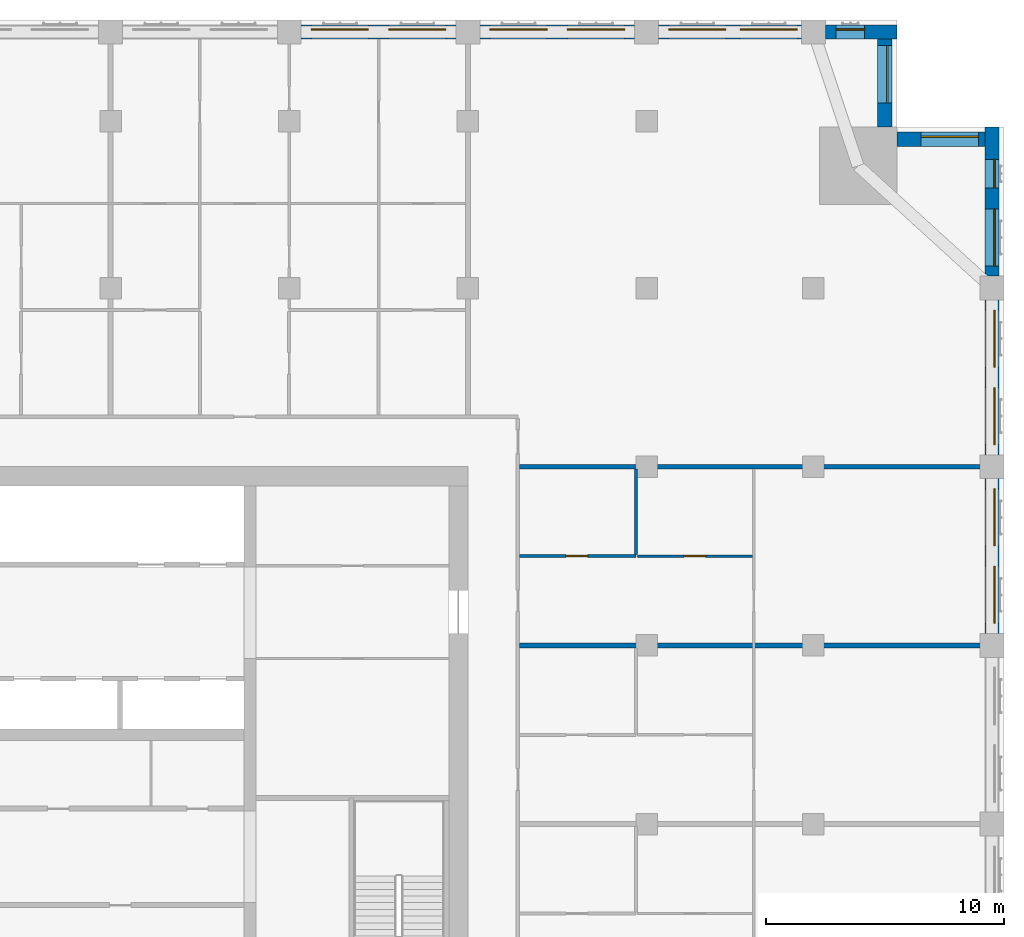
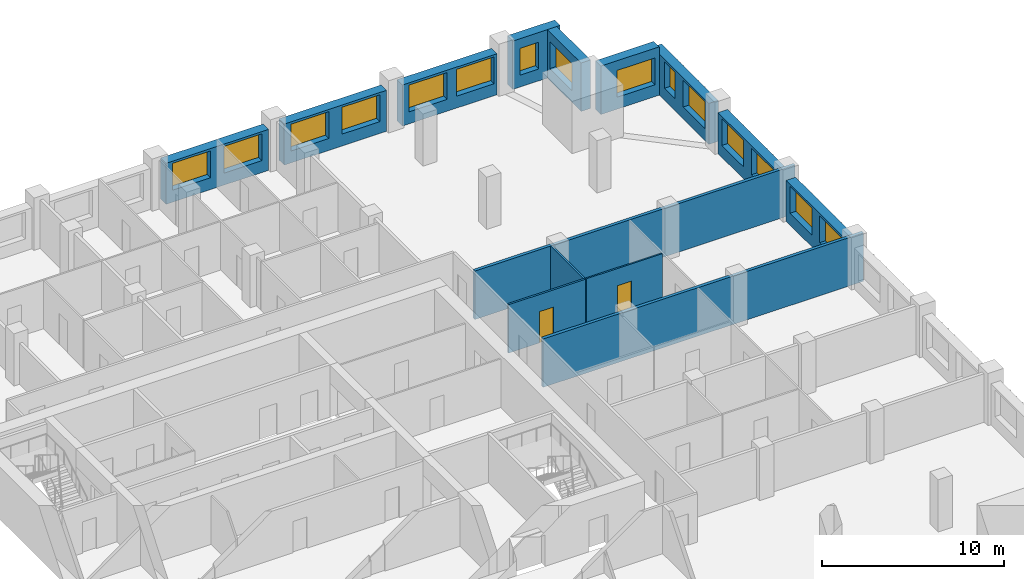
# One storey, part 11 of 14: 15 windows, 14 walls, 2 doors, 17 openings.
"""IFC4 building model written with IfcOpenShell, lengths in metres."""

from ifc_helpers import new_model, si_unit, direction, frame, frame_2d, origin, place, context, subcontext, project, spatial, rectangle, extrude, material, layer, layer_set, type_object, element, fill, save


model = new_model("IFC4")

# Units and contexts
model_context = context("Model", 3, precision=1e-05, world=origin(), true_north=direction((0.0, 1.0)))
body_context = subcontext(model_context, "Body", "Model", "MODEL_VIEW")
ifc_project = project(units=[si_unit("LENGTHUNIT", "METRE"), si_unit("AREAUNIT", "SQUARE_METRE"), si_unit("VOLUMEUNIT", "CUBIC_METRE"), si_unit("PLANEANGLEUNIT", "RADIAN"), si_unit("MASSUNIT", "GRAM", prefix="KILO")], contexts=[model_context])

# Site, building, storey
site_placement = place(None, origin())
site = spatial("IfcSite", under=ifc_project, at=site_placement, CompositionType="ELEMENT")
building_placement = place(site_placement, origin())
building = spatial("IfcBuilding", under=site, at=building_placement, Name="Tamorin Gate", CompositionType="ELEMENT")
storey_placement = place(building_placement, frame((0.0, 0.0, 203.699951171875)))
storey = spatial("IfcBuildingStorey", under=building, at=storey_placement, Name="L50", CompositionType="ELEMENT", Elevation=203.699951171875)

# Wall, openings, windows
ifc_material_1 = material(Name="Precast concrete C40/50", Category="concrete")
ifc_layer_1 = layer(ifc_material_1, 0.60009765625)
ifc_layer_set_1 = layer_set([ifc_layer_1], Name="Precast concrete C40/50")
wall_type_1 = type_object("IfcWallType", Name="Board-marked concrete facade panel 600", PredefinedType="SOLIDWALL", material=ifc_layer_set_1)
wall_1_placement = place(storey_placement, frame((82.0, 75.5, 0.0), z_axis=(0.0, 0.0, 1.0), x_axis=(0.0, 1.0, 0.0)))
wall_1 = element("IfcWall", 1, at=wall_1_placement, inside=storey, type_object=wall_type_1, Name="Facade panel", PredefinedType="SOLIDWALL", context=body_context, shape_type="SweptSolid", body=[
    extrude(rectangle(XDim=6.5, YDim=0.60009765625, at=frame_2d((3.25, 0.0))), origin(), (0.0, 0.0, 1.0), 2.75),
])
opening_1_placement = place(wall_1_placement, frame((0.425048828125, 0.0, 0.800048828125)))
opening_1 = element("IfcOpeningElement", 2, at=opening_1_placement, cuts=wall_1, Name="Opening WN1", PredefinedType="OPENING", context=body_context, shape_type="SweptSolid", body=[
    extrude(rectangle(XDim=2.39990234375, YDim=1.800048828125, at=frame_2d((1.199951171875, 0.89990234375))), frame((0.0, 0.31005859375, 0.0), z_axis=(0.0, -1.0, 0.0), x_axis=(1.0, 0.0, 0.0)), (0.0, 0.0, 1.0), 0.6201171875),
])
opening_2_placement = place(wall_1_placement, frame((3.675048828125, 0.0, 0.800048828125)))
opening_2 = element("IfcOpeningElement", 3, at=opening_2_placement, cuts=wall_1, Name="Opening WN1", PredefinedType="OPENING", context=body_context, shape_type="SweptSolid", body=[
    extrude(rectangle(XDim=2.39990234375, YDim=1.800048828125, at=frame_2d((1.199951171875, 0.89990234375))), frame((0.0, 0.31005859375, 0.0), z_axis=(0.0, -1.0, 0.0), x_axis=(1.0, 0.0, 0.0)), (0.0, 0.0, 1.0), 0.6201171875),
])
ifc_material_2 = material(Name="Clear glass in aluminium frame", Category="aluminium")
window_type_1 = type_object("IfcWindowType", Name="Deep-set window 2400x1800", PartitioningType="SINGLE_PANEL", PredefinedType="WINDOW", material=ifc_material_2)
window_1_placement = place(opening_1_placement, origin())
window_1 = element("IfcWindow", 4, at=window_1_placement, inside=storey, type_object=window_type_1, Name="Deep-set window", OverallHeight=1.800048828125, OverallWidth=2.39990234375, PartitioningType="SINGLE_PANEL", PredefinedType="WINDOW", context=body_context, shape_type="SweptSolid", body=[
    extrude(rectangle(XDim=2.39990234375, YDim=1.800048828125, at=frame_2d((1.199951171875, 0.89990234375))), frame((0.0, -0.070068359375, 0.0), z_axis=(0.0, -1.0, 0.0), x_axis=(1.0, 0.0, 0.0)), (0.0, 0.0, 1.0), 0.06005859375),
])
fill(opening_1, window_1)
window_2_placement = place(opening_2_placement, origin())
window_2 = element("IfcWindow", 5, at=window_2_placement, inside=storey, type_object=window_type_1, Name="Deep-set window", OverallHeight=1.800048828125, OverallWidth=2.39990234375, PartitioningType="SINGLE_PANEL", PredefinedType="WINDOW", context=body_context, shape_type="SweptSolid", body=[
    extrude(rectangle(XDim=2.39990234375, YDim=1.800048828125, at=frame_2d((1.199951171875, 0.89990234375))), frame((0.0, -0.070068359375, 0.0), z_axis=(0.0, -1.0, 0.0), x_axis=(1.0, 0.0, 0.0)), (0.0, 0.0, 1.0), 0.06005859375),
])
fill(opening_2, window_2)

wall_2_placement = place(storey_placement, frame((82.0, 83.0, 0.0), z_axis=(0.0, 0.0, 1.0), x_axis=(0.0, 1.0, 0.0)))
wall_2 = element("IfcWall", 6, at=wall_2_placement, inside=storey, type_object=wall_type_1, Name="Facade panel", PredefinedType="SOLIDWALL", context=body_context, shape_type="SweptSolid", body=[
    extrude(rectangle(XDim=6.5, YDim=0.60009765625, at=frame_2d((3.25, 0.0))), origin(), (0.0, 0.0, 1.0), 2.75),
])
opening_3_placement = place(wall_2_placement, frame((0.425048828125, 0.0, 0.800048828125)))
opening_3 = element("IfcOpeningElement", 7, at=opening_3_placement, cuts=wall_2, Name="Opening WN1", PredefinedType="OPENING", context=body_context, shape_type="SweptSolid", body=[
    extrude(rectangle(XDim=2.39990234375, YDim=1.800048828125, at=frame_2d((1.199951171875, 0.89990234375))), frame((0.0, 0.31005859375, 0.0), z_axis=(0.0, -1.0, 0.0), x_axis=(1.0, 0.0, 0.0)), (0.0, 0.0, 1.0), 0.6201171875),
])
opening_4_placement = place(wall_2_placement, frame((3.675048828125, 0.0, 0.800048828125)))
opening_4 = element("IfcOpeningElement", 8, at=opening_4_placement, cuts=wall_2, Name="Opening WN1", PredefinedType="OPENING", context=body_context, shape_type="SweptSolid", body=[
    extrude(rectangle(XDim=2.39990234375, YDim=1.800048828125, at=frame_2d((1.199951171875, 0.89990234375))), frame((0.0, 0.31005859375, 0.0), z_axis=(0.0, -1.0, 0.0), x_axis=(1.0, 0.0, 0.0)), (0.0, 0.0, 1.0), 0.6201171875),
])
window_3_placement = place(opening_3_placement, origin())
window_3 = element("IfcWindow", 9, at=window_3_placement, inside=storey, type_object=window_type_1, Name="Deep-set window", OverallHeight=1.800048828125, OverallWidth=2.39990234375, PartitioningType="SINGLE_PANEL", PredefinedType="WINDOW", context=body_context, shape_type="SweptSolid", body=[
    extrude(rectangle(XDim=2.39990234375, YDim=1.800048828125, at=frame_2d((1.199951171875, 0.89990234375))), frame((0.0, -0.070068359375, 0.0), z_axis=(0.0, -1.0, 0.0), x_axis=(1.0, 0.0, 0.0)), (0.0, 0.0, 1.0), 0.06005859375),
])
fill(opening_3, window_3)
window_4_placement = place(opening_4_placement, origin())
window_4 = element("IfcWindow", 10, at=window_4_placement, inside=storey, type_object=window_type_1, Name="Deep-set window", OverallHeight=1.800048828125, OverallWidth=2.39990234375, PartitioningType="SINGLE_PANEL", PredefinedType="WINDOW", context=body_context, shape_type="SweptSolid", body=[
    extrude(rectangle(XDim=2.39990234375, YDim=1.800048828125, at=frame_2d((1.199951171875, 0.89990234375))), frame((0.0, -0.070068359375, 0.0), z_axis=(0.0, -1.0, 0.0), x_axis=(1.0, 0.0, 0.0)), (0.0, 0.0, 1.0), 0.06005859375),
])
fill(opening_4, window_4)

wall_3_placement = place(storey_placement, frame((82.0, 90.5, 0.0), z_axis=(0.0, 0.0, 1.0), x_axis=(0.0, 1.0, 0.0)))
wall_3 = element("IfcWall", 11, at=wall_3_placement, inside=storey, type_object=wall_type_1, Name="Facade panel", PredefinedType="SOLIDWALL", context=body_context, shape_type="SweptSolid", body=[
    extrude(rectangle(XDim=6.25, YDim=0.60009765625, at=frame_2d((3.125, 0.0))), origin(), (0.0, 0.0, 1.0), 2.75),
])
opening_5_placement = place(wall_3_placement, frame((0.425048828125, 0.0, 0.800048828125)))
opening_5 = element("IfcOpeningElement", 12, at=opening_5_placement, cuts=wall_3, Name="Opening WN1", PredefinedType="OPENING", context=body_context, shape_type="SweptSolid", body=[
    extrude(rectangle(XDim=2.39990234375, YDim=1.800048828125, at=frame_2d((1.199951171875, 0.89990234375))), frame((0.0, 0.31005859375, 0.0), z_axis=(0.0, -1.0, 0.0), x_axis=(1.0, 0.0, 0.0)), (0.0, 0.0, 1.0), 0.6201171875),
])
opening_6_placement = place(wall_3_placement, frame((3.699951171875, 0.0, 0.800048828125)))
opening_6 = element("IfcOpeningElement", 13, at=opening_6_placement, cuts=wall_3, Name="Opening WN3", PredefinedType="OPENING", context=body_context, shape_type="SweptSolid", body=[
    extrude(rectangle(XDim=1.199951171875, YDim=1.800048828125, at=frame_2d((0.60009765625, 0.89990234375))), frame((0.0, 0.31005859375, 0.0), z_axis=(0.0, -1.0, 0.0), x_axis=(1.0, 0.0, 0.0)), (0.0, 0.0, 1.0), 0.6201171875),
])
window_type_2 = type_object("IfcWindowType", Name="Deep-set window 1200x1800", PartitioningType="SINGLE_PANEL", PredefinedType="WINDOW", material=ifc_material_2)
window_5_placement = place(opening_6_placement, origin())
window_5 = element("IfcWindow", 14, at=window_5_placement, inside=storey, type_object=window_type_2, Name="Deep-set window", OverallHeight=1.800048828125, OverallWidth=1.199951171875, PartitioningType="SINGLE_PANEL", PredefinedType="WINDOW", context=body_context, shape_type="SweptSolid", body=[
    extrude(rectangle(XDim=1.199951171875, YDim=1.800048828125, at=frame_2d((0.60009765625, 0.89990234375))), frame((0.0, -0.070068359375, 0.0), z_axis=(0.0, -1.0, 0.0), x_axis=(1.0, 0.0, 0.0)), (0.0, 0.0, 1.0), 0.06005859375),
])
fill(opening_6, window_5)
window_6_placement = place(opening_5_placement, origin())
window_6 = element("IfcWindow", 15, at=window_6_placement, inside=storey, type_object=window_type_1, Name="Deep-set window", OverallHeight=1.800048828125, OverallWidth=2.39990234375, PartitioningType="SINGLE_PANEL", PredefinedType="WINDOW", context=body_context, shape_type="SweptSolid", body=[
    extrude(rectangle(XDim=2.39990234375, YDim=1.800048828125, at=frame_2d((1.199951171875, 0.89990234375))), frame((0.0, -0.070068359375, 0.0), z_axis=(0.0, -1.0, 0.0), x_axis=(1.0, 0.0, 0.0)), (0.0, 0.0, 1.0), 0.06005859375),
])
fill(opening_5, window_6)

# Wall, opening, window
wall_4_placement = place(storey_placement, frame((81.699951171875, 96.25, 0.0), z_axis=(0.0, 0.0, 1.0), x_axis=(-1.0, 0.0, 0.0)))
wall_4 = element("IfcWall", 16, at=wall_4_placement, inside=storey, type_object=wall_type_1, Name="Facade panel", PredefinedType="SOLIDWALL", context=body_context, shape_type="SweptSolid", body=[
    extrude(rectangle(XDim=3.699951171875, YDim=0.60009765625, at=frame_2d((1.85009765625, 0.0))), origin(), (0.0, 0.0, 1.0), 3.25),
])
opening_7_placement = place(wall_4_placement, frame((0.27490234375, 0.0, 0.800048828125)))
opening_7 = element("IfcOpeningElement", 17, at=opening_7_placement, cuts=wall_4, Name="Opening WN1", PredefinedType="OPENING", context=body_context, shape_type="SweptSolid", body=[
    extrude(rectangle(XDim=2.39990234375, YDim=1.800048828125, at=frame_2d((1.199951171875, 0.89990234375))), frame((0.0, 0.31005859375, 0.0), z_axis=(0.0, -1.0, 0.0), x_axis=(1.0, 0.0, 0.0)), (0.0, 0.0, 1.0), 0.6201171875),
])
window_7_placement = place(opening_7_placement, origin())
window_7 = element("IfcWindow", 18, at=window_7_placement, inside=storey, type_object=window_type_1, Name="Deep-set window", OverallHeight=1.800048828125, OverallWidth=2.39990234375, PartitioningType="SINGLE_PANEL", PredefinedType="WINDOW", context=body_context, shape_type="SweptSolid", body=[
    extrude(rectangle(XDim=2.39990234375, YDim=1.800048828125, at=frame_2d((1.199951171875, 0.89990234375))), frame((0.0, -0.070068359375, 0.0), z_axis=(0.0, -1.0, 0.0), x_axis=(1.0, 0.0, 0.0)), (0.0, 0.0, 1.0), 0.06005859375),
])
fill(opening_7, window_7)

wall_5_placement = place(storey_placement, frame((77.5, 96.75, 0.0), z_axis=(0.0, 0.0, 1.0), x_axis=(0.0, 1.0, 0.0)))
wall_5 = element("IfcWall", 19, at=wall_5_placement, inside=storey, type_object=wall_type_1, Name="Facade panel", PredefinedType="SOLIDWALL", context=body_context, shape_type="SweptSolid", body=[
    extrude(rectangle(XDim=3.699951171875, YDim=0.60009765625, at=frame_2d((1.85009765625, 0.0))), origin(), (0.0, 0.0, 1.0), 3.25),
])
opening_8_placement = place(wall_5_placement, frame((1.02490234375, 0.0, 0.800048828125)))
opening_8 = element("IfcOpeningElement", 20, at=opening_8_placement, cuts=wall_5, Name="Opening WN1", PredefinedType="OPENING", context=body_context, shape_type="SweptSolid", body=[
    extrude(rectangle(XDim=2.39990234375, YDim=1.800048828125, at=frame_2d((1.199951171875, 0.89990234375))), frame((0.0, 0.31005859375, 0.0), z_axis=(0.0, -1.0, 0.0), x_axis=(1.0, 0.0, 0.0)), (0.0, 0.0, 1.0), 0.6201171875),
])
window_8_placement = place(opening_8_placement, origin())
window_8 = element("IfcWindow", 21, at=window_8_placement, inside=storey, type_object=window_type_1, Name="Deep-set window", OverallHeight=1.800048828125, OverallWidth=2.39990234375, PartitioningType="SINGLE_PANEL", PredefinedType="WINDOW", context=body_context, shape_type="SweptSolid", body=[
    extrude(rectangle(XDim=2.39990234375, YDim=1.800048828125, at=frame_2d((1.199951171875, 0.89990234375))), frame((0.0, -0.070068359375, 0.0), z_axis=(0.0, -1.0, 0.0), x_axis=(1.0, 0.0, 0.0)), (0.0, 0.0, 1.0), 0.06005859375),
])
fill(opening_8, window_8)

wall_6_placement = place(storey_placement, frame((78.0, 100.75, 0.0), z_axis=(0.0, 0.0, 1.0), x_axis=(-1.0, 0.0, 0.0)))
wall_6 = element("IfcWall", 22, at=wall_6_placement, inside=storey, type_object=wall_type_1, Name="Facade panel", PredefinedType="SOLIDWALL", context=body_context, shape_type="SweptSolid", body=[
    extrude(rectangle(XDim=3.0, YDim=0.60009765625, at=frame_2d((1.5, 0.0))), origin(), (0.0, 0.0, 1.0), 3.25),
])
opening_9_placement = place(wall_6_placement, frame((1.35009765625, 0.0, 0.800048828125)))
opening_9 = element("IfcOpeningElement", 23, at=opening_9_placement, cuts=wall_6, Name="Opening WN3", PredefinedType="OPENING", context=body_context, shape_type="SweptSolid", body=[
    extrude(rectangle(XDim=1.199951171875, YDim=1.800048828125, at=frame_2d((0.60009765625, 0.89990234375))), frame((0.0, 0.31005859375, 0.0), z_axis=(0.0, -1.0, 0.0), x_axis=(1.0, 0.0, 0.0)), (0.0, 0.0, 1.0), 0.6201171875),
])
window_9_placement = place(opening_9_placement, origin())
window_9 = element("IfcWindow", 24, at=window_9_placement, inside=storey, type_object=window_type_2, Name="Deep-set window", OverallHeight=1.800048828125, OverallWidth=1.199951171875, PartitioningType="SINGLE_PANEL", PredefinedType="WINDOW", context=body_context, shape_type="SweptSolid", body=[
    extrude(rectangle(XDim=1.199951171875, YDim=1.800048828125, at=frame_2d((0.60009765625, 0.89990234375))), frame((0.0, -0.070068359375, 0.0), z_axis=(0.0, -1.0, 0.0), x_axis=(1.0, 0.0, 0.0)), (0.0, 0.0, 1.0), 0.06005859375),
])
fill(opening_9, window_9)

# Wall, openings, windows
wall_7_placement = place(storey_placement, frame((74.0, 100.75, 0.0), z_axis=(0.0, 0.0, 1.0), x_axis=(-1.0, 0.0, 0.0)))
wall_7 = element("IfcWall", 25, at=wall_7_placement, inside=storey, type_object=wall_type_1, Name="Facade panel", PredefinedType="SOLIDWALL", context=body_context, shape_type="SweptSolid", body=[
    extrude(rectangle(XDim=6.0, YDim=0.60009765625, at=frame_2d((3.0, 0.0))), origin(), (0.0, 0.0, 1.0), 2.75),
])
opening_10_placement = place(wall_7_placement, frame((3.175048828125, 0.0, 0.800048828125)))
opening_10 = element("IfcOpeningElement", 26, at=opening_10_placement, cuts=wall_7, Name="Opening WN1", PredefinedType="OPENING", context=body_context, shape_type="SweptSolid", body=[
    extrude(rectangle(XDim=2.39990234375, YDim=1.800048828125, at=frame_2d((1.199951171875, 0.89990234375))), frame((0.0, 0.31005859375, 0.0), z_axis=(0.0, -1.0, 0.0), x_axis=(1.0, 0.0, 0.0)), (0.0, 0.0, 1.0), 0.6201171875),
])
opening_11_placement = place(wall_7_placement, frame((0.175048828125, 0.0, 0.800048828125)))
opening_11 = element("IfcOpeningElement", 27, at=opening_11_placement, cuts=wall_7, Name="Opening WN1", PredefinedType="OPENING", context=body_context, shape_type="SweptSolid", body=[
    extrude(rectangle(XDim=2.39990234375, YDim=1.800048828125, at=frame_2d((1.199951171875, 0.89990234375))), frame((0.0, 0.31005859375, 0.0), z_axis=(0.0, -1.0, 0.0), x_axis=(1.0, 0.0, 0.0)), (0.0, 0.0, 1.0), 0.6201171875),
])
window_10_placement = place(opening_10_placement, origin())
window_10 = element("IfcWindow", 28, at=window_10_placement, inside=storey, type_object=window_type_1, Name="Deep-set window", OverallHeight=1.800048828125, OverallWidth=2.39990234375, PartitioningType="SINGLE_PANEL", PredefinedType="WINDOW", context=body_context, shape_type="SweptSolid", body=[
    extrude(rectangle(XDim=2.39990234375, YDim=1.800048828125, at=frame_2d((1.199951171875, 0.89990234375))), frame((0.0, -0.070068359375, 0.0), z_axis=(0.0, -1.0, 0.0), x_axis=(1.0, 0.0, 0.0)), (0.0, 0.0, 1.0), 0.06005859375),
])
fill(opening_10, window_10)
window_11_placement = place(opening_11_placement, origin())
window_11 = element("IfcWindow", 29, at=window_11_placement, inside=storey, type_object=window_type_1, Name="Deep-set window", OverallHeight=1.800048828125, OverallWidth=2.39990234375, PartitioningType="SINGLE_PANEL", PredefinedType="WINDOW", context=body_context, shape_type="SweptSolid", body=[
    extrude(rectangle(XDim=2.39990234375, YDim=1.800048828125, at=frame_2d((1.199951171875, 0.89990234375))), frame((0.0, -0.070068359375, 0.0), z_axis=(0.0, -1.0, 0.0), x_axis=(1.0, 0.0, 0.0)), (0.0, 0.0, 1.0), 0.06005859375),
])
fill(opening_11, window_11)

wall_8_placement = place(storey_placement, frame((67.0, 100.75, 0.0), z_axis=(0.0, 0.0, 1.0), x_axis=(-1.0, 0.0, 0.0)))
wall_8 = element("IfcWall", 30, at=wall_8_placement, inside=storey, type_object=wall_type_1, Name="Facade panel", PredefinedType="SOLIDWALL", context=body_context, shape_type="SweptSolid", body=[
    extrude(rectangle(XDim=6.5, YDim=0.60009765625, at=frame_2d((3.25, 0.0))), origin(), (0.0, 0.0, 1.0), 2.75),
])
opening_12_placement = place(wall_8_placement, frame((3.675048828125, 0.0, 0.800048828125)))
opening_12 = element("IfcOpeningElement", 31, at=opening_12_placement, cuts=wall_8, Name="Opening WN1", PredefinedType="OPENING", context=body_context, shape_type="SweptSolid", body=[
    extrude(rectangle(XDim=2.39990234375, YDim=1.800048828125, at=frame_2d((1.199951171875, 0.89990234375))), frame((0.0, 0.31005859375, 0.0), z_axis=(0.0, -1.0, 0.0), x_axis=(1.0, 0.0, 0.0)), (0.0, 0.0, 1.0), 0.6201171875),
])
opening_13_placement = place(wall_8_placement, frame((0.425048828125, 0.0, 0.800048828125)))
opening_13 = element("IfcOpeningElement", 32, at=opening_13_placement, cuts=wall_8, Name="Opening WN1", PredefinedType="OPENING", context=body_context, shape_type="SweptSolid", body=[
    extrude(rectangle(XDim=2.39990234375, YDim=1.800048828125, at=frame_2d((1.199951171875, 0.89990234375))), frame((0.0, 0.31005859375, 0.0), z_axis=(0.0, -1.0, 0.0), x_axis=(1.0, 0.0, 0.0)), (0.0, 0.0, 1.0), 0.6201171875),
])
window_12_placement = place(opening_12_placement, origin())
window_12 = element("IfcWindow", 33, at=window_12_placement, inside=storey, type_object=window_type_1, Name="Deep-set window", OverallHeight=1.800048828125, OverallWidth=2.39990234375, PartitioningType="SINGLE_PANEL", PredefinedType="WINDOW", context=body_context, shape_type="SweptSolid", body=[
    extrude(rectangle(XDim=2.39990234375, YDim=1.800048828125, at=frame_2d((1.199951171875, 0.89990234375))), frame((0.0, -0.070068359375, 0.0), z_axis=(0.0, -1.0, 0.0), x_axis=(1.0, 0.0, 0.0)), (0.0, 0.0, 1.0), 0.06005859375),
])
fill(opening_12, window_12)
window_13_placement = place(opening_13_placement, origin())
window_13 = element("IfcWindow", 34, at=window_13_placement, inside=storey, type_object=window_type_1, Name="Deep-set window", OverallHeight=1.800048828125, OverallWidth=2.39990234375, PartitioningType="SINGLE_PANEL", PredefinedType="WINDOW", context=body_context, shape_type="SweptSolid", body=[
    extrude(rectangle(XDim=2.39990234375, YDim=1.800048828125, at=frame_2d((1.199951171875, 0.89990234375))), frame((0.0, -0.070068359375, 0.0), z_axis=(0.0, -1.0, 0.0), x_axis=(1.0, 0.0, 0.0)), (0.0, 0.0, 1.0), 0.06005859375),
])
fill(opening_13, window_13)

wall_9_placement = place(storey_placement, frame((59.5, 100.75, 0.0), z_axis=(0.0, 0.0, 1.0), x_axis=(-1.0, 0.0, 0.0)))
wall_9 = element("IfcWall", 35, at=wall_9_placement, inside=storey, type_object=wall_type_1, Name="Facade panel", PredefinedType="SOLIDWALL", context=body_context, shape_type="SweptSolid", body=[
    extrude(rectangle(XDim=6.5, YDim=0.60009765625, at=frame_2d((3.25, 0.0))), origin(), (0.0, 0.0, 1.0), 2.75),
])
opening_14_placement = place(wall_9_placement, frame((3.675048828125, 0.0, 0.800048828125)))
opening_14 = element("IfcOpeningElement", 36, at=opening_14_placement, cuts=wall_9, Name="Opening WN1", PredefinedType="OPENING", context=body_context, shape_type="SweptSolid", body=[
    extrude(rectangle(XDim=2.39990234375, YDim=1.800048828125, at=frame_2d((1.199951171875, 0.89990234375))), frame((0.0, 0.31005859375, 0.0), z_axis=(0.0, -1.0, 0.0), x_axis=(1.0, 0.0, 0.0)), (0.0, 0.0, 1.0), 0.6201171875),
])
opening_15_placement = place(wall_9_placement, frame((0.425048828125, 0.0, 0.800048828125)))
opening_15 = element("IfcOpeningElement", 37, at=opening_15_placement, cuts=wall_9, Name="Opening WN1", PredefinedType="OPENING", context=body_context, shape_type="SweptSolid", body=[
    extrude(rectangle(XDim=2.39990234375, YDim=1.800048828125, at=frame_2d((1.199951171875, 0.89990234375))), frame((0.0, 0.31005859375, 0.0), z_axis=(0.0, -1.0, 0.0), x_axis=(1.0, 0.0, 0.0)), (0.0, 0.0, 1.0), 0.6201171875),
])
window_14_placement = place(opening_14_placement, origin())
window_14 = element("IfcWindow", 38, at=window_14_placement, inside=storey, type_object=window_type_1, Name="Deep-set window", OverallHeight=1.800048828125, OverallWidth=2.39990234375, PartitioningType="SINGLE_PANEL", PredefinedType="WINDOW", context=body_context, shape_type="SweptSolid", body=[
    extrude(rectangle(XDim=2.39990234375, YDim=1.800048828125, at=frame_2d((1.199951171875, 0.89990234375))), frame((0.0, -0.070068359375, 0.0), z_axis=(0.0, -1.0, 0.0), x_axis=(1.0, 0.0, 0.0)), (0.0, 0.0, 1.0), 0.06005859375),
])
fill(opening_14, window_14)
window_15_placement = place(opening_15_placement, origin())
window_15 = element("IfcWindow", 39, at=window_15_placement, inside=storey, type_object=window_type_1, Name="Deep-set window", OverallHeight=1.800048828125, OverallWidth=2.39990234375, PartitioningType="SINGLE_PANEL", PredefinedType="WINDOW", context=body_context, shape_type="SweptSolid", body=[
    extrude(rectangle(XDim=2.39990234375, YDim=1.800048828125, at=frame_2d((1.199951171875, 0.89990234375))), frame((0.0, -0.070068359375, 0.0), z_axis=(0.0, -1.0, 0.0), x_axis=(1.0, 0.0, 0.0)), (0.0, 0.0, 1.0), 0.06005859375),
])
fill(opening_15, window_15)

# Walls
ifc_material_3 = material(Name="Gypsum board partition")
ifc_layer_2 = layer(ifc_material_3, 0.199951171875)
ifc_layer_set_2 = layer_set([ifc_layer_2], Name="Demising wall 200")
wall_type_2 = type_object("IfcWallType", Name="Demising wall 200", PredefinedType="PARTITIONING", material=ifc_layer_set_2)
for number, where, z_axis, x_axis, name in (
    (40, (62.175048828125, 75.0, 0.0), (0.0, 0.0, 1.0), (1.0, 0.0, 0.0), "Demising wall 200"),
    (41, (62.175048828125, 82.5, 0.0), (0.0, 0.0, 1.0), (1.0, 0.0, 0.0), "Demising wall 200"),
):
    element("IfcWall", number, at=place(storey_placement, frame(where, z_axis=z_axis, x_axis=x_axis)), inside=storey, type_object=wall_type_2, Name=name, PredefinedType="PARTITIONING", context=body_context, shape_type="SweptSolid", body=[
        extrude(rectangle(XDim=20.324951171875, YDim=0.199951171875, at=frame_2d((10.16259765625, 0.0))), origin(), (0.0, 0.0, 1.0), 3.25),
    ])

# Wall, opening, door
ifc_layer_3 = layer(ifc_material_3, 0.10009765625)
ifc_layer_set_3 = layer_set([ifc_layer_3], Name="Room partition 100")
wall_type_3 = type_object("IfcWallType", Name="Room partition 100", PredefinedType="PARTITIONING", material=ifc_layer_set_3)
wall_10_placement = place(storey_placement, frame((67.112548828125, 78.75, 0.0), z_axis=(0.0, 0.0, 1.0), x_axis=(1.0, 0.0, 0.0)))
wall_10 = element("IfcWall", 42, at=wall_10_placement, inside=storey, type_object=wall_type_3, Name="Room partition 100", PredefinedType="PARTITIONING", context=body_context, shape_type="SweptSolid", body=[
    extrude(rectangle(XDim=4.83740234375, YDim=0.10009765625, at=frame_2d((2.418701171875, 0.0))), origin(), (0.0, 0.0, 1.0), 3.25),
])
opening_16_placement = place(wall_10_placement, frame((1.96240234375, 0.0, 0.0)))
opening_16 = element("IfcOpeningElement", 43, at=opening_16_placement, cuts=wall_10, Name="Opening DR4041", PredefinedType="OPENING", context=body_context, shape_type="SweptSolid", body=[
    extrude(rectangle(XDim=0.89990234375, YDim=2.10009765625, at=frame_2d((0.449951171875, 1.050048828125))), frame((0.0, 0.06005859375, 0.0), z_axis=(0.0, -1.0, 0.0), x_axis=(1.0, 0.0, 0.0)), (0.0, 0.0, 1.0), 0.1201171875),
])
ifc_material_4 = material(Name="Timber door leaf", Category="wood")
door_type = type_object("IfcDoorType", Name="Door 900 x 2100", OperationType="NOTDEFINED", PredefinedType="DOOR", material=ifc_material_4)
door_1_placement = place(opening_16_placement, origin())
door_1 = element("IfcDoor", 44, at=door_1_placement, inside=storey, type_object=door_type, Name="Door DR4041", OperationType="SINGLE_SWING_LEFT", OverallHeight=2.10009765625, OverallWidth=0.89990234375, PredefinedType="DOOR", context=body_context, shape_type="SweptSolid", body=[
    extrude(rectangle(XDim=0.89990234375, YDim=2.10009765625, at=frame_2d((0.449951171875, 1.050048828125))), frame((0.0, 0.02490234375, 0.0), z_axis=(0.0, -1.0, 0.0), x_axis=(1.0, 0.0, 0.0)), (0.0, 0.0, 1.0), 0.050048828125),
])
fill(opening_16, door_1)

ifc_layer_4 = layer(ifc_material_3, 0.125)
ifc_layer_set_4 = layer_set([ifc_layer_4], Name="Wet wall 125")
wall_type_4 = type_object("IfcWallType", Name="Wet wall 125", PredefinedType="PARTITIONING", material=ifc_layer_set_4)
wall_11_placement = place(storey_placement, frame((62.175048828125, 78.75, 0.0), z_axis=(0.0, 0.0, 1.0), x_axis=(1.0, 0.0, 0.0)))
wall_11 = element("IfcWall", 45, at=wall_11_placement, inside=storey, type_object=wall_type_4, Name="Wet wall 125", PredefinedType="PARTITIONING", context=body_context, shape_type="SweptSolid", body=[
    extrude(rectangle(XDim=4.875, YDim=0.125, at=frame_2d((2.4375, 0.0))), origin(), (0.0, 0.0, 1.0), 3.25),
])
opening_17_placement = place(wall_11_placement, frame((1.949951171875, 0.0, 0.0)))
opening_17 = element("IfcOpeningElement", 46, at=opening_17_placement, cuts=wall_11, Name="Opening DR4042", PredefinedType="OPENING", context=body_context, shape_type="SweptSolid", body=[
    extrude(rectangle(XDim=0.89990234375, YDim=2.10009765625, at=frame_2d((0.449951171875, 1.050048828125))), frame((0.0, 0.072509765625, 0.0), z_axis=(0.0, -1.0, 0.0), x_axis=(1.0, 0.0, 0.0)), (0.0, 0.0, 1.0), 0.14501953125),
])
door_2_placement = place(opening_17_placement, origin())
door_2 = element("IfcDoor", 47, at=door_2_placement, inside=storey, type_object=door_type, Name="Door DR4042", OperationType="SINGLE_SWING_RIGHT", OverallHeight=2.10009765625, OverallWidth=0.89990234375, PredefinedType="DOOR", context=body_context, shape_type="SweptSolid", body=[
    extrude(rectangle(XDim=0.89990234375, YDim=2.10009765625, at=frame_2d((0.449951171875, 1.050048828125))), frame((0.0, 0.02490234375, 0.0), z_axis=(0.0, -1.0, 0.0), x_axis=(1.0, 0.0, 0.0)), (0.0, 0.0, 1.0), 0.050048828125),
])
fill(opening_17, door_2)

# Wall
wall_12_placement = place(storey_placement, frame((67.050048828125, 78.8125, 0.0), z_axis=(0.0, 0.0, 1.0), x_axis=(0.0, 1.0, 0.0)))
element("IfcWall", 48, at=wall_12_placement, inside=storey, type_object=wall_type_4, Name="Wet wall 125", PredefinedType="PARTITIONING", context=body_context, shape_type="SweptSolid", body=[
    extrude(rectangle(XDim=3.58740234375, YDim=0.125, at=frame_2d((1.793701171875, 0.0))), origin(), (0.0, 0.0, 1.0), 3.25),
])

save(model, "model.ifc")
